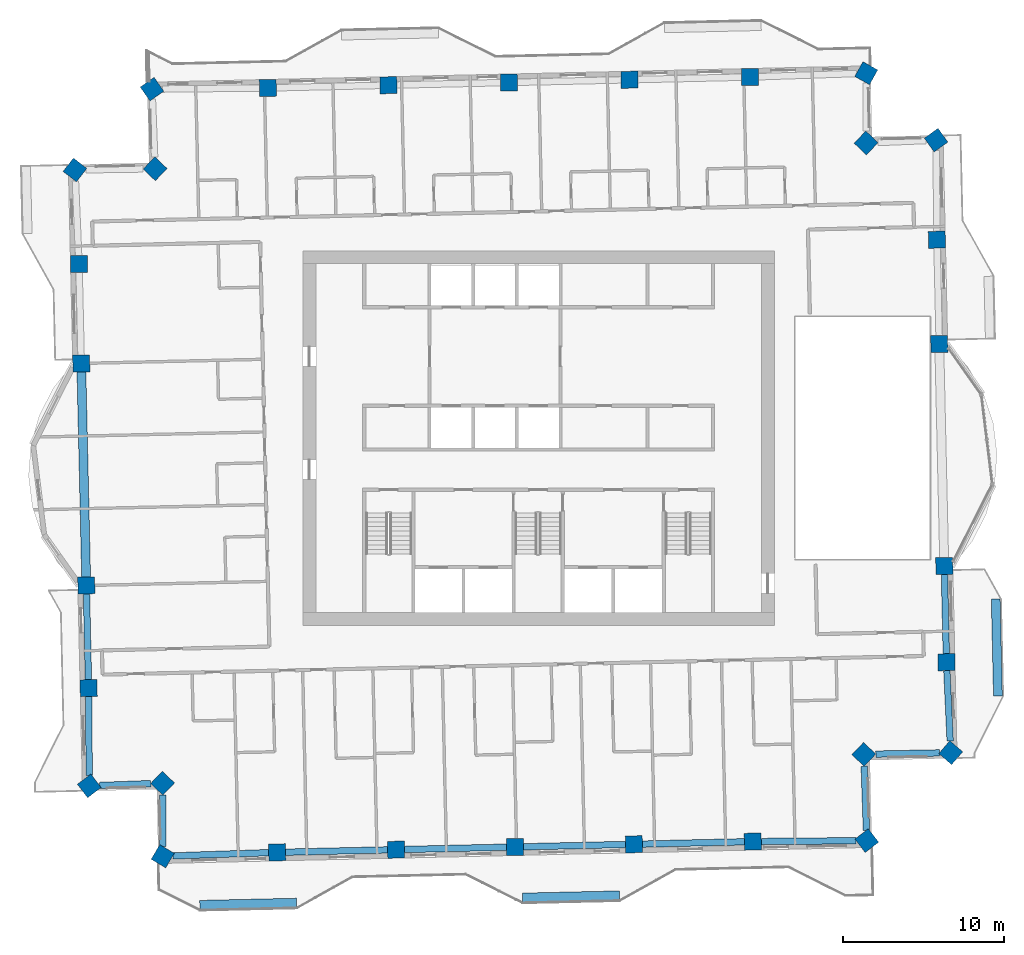
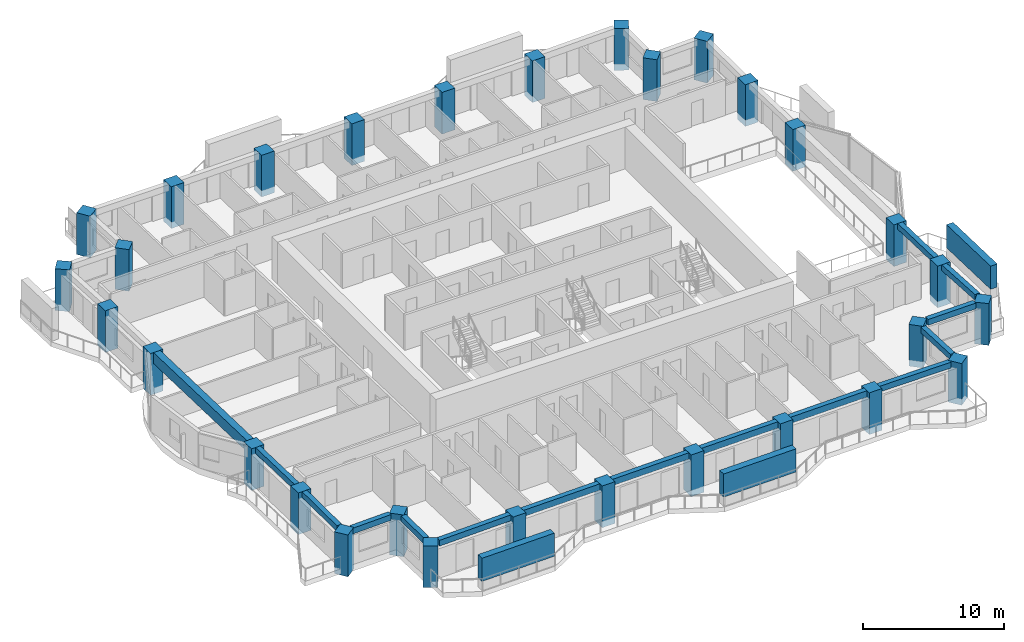
# One storey, part 1 of 17: 30 columns, 15 beams, 3 members.
"""IFC4 building model written with IfcOpenShell, lengths in metres."""

from ifc_helpers import new_model, si_unit, direction, frame, origin, origin_2d, place, context, subcontext, project, spatial, rectangle, extrude, material, material_profile, profile_set, type_object, element, save


model = new_model("IFC4")

# Units and contexts
model_context = context("Model", 3, precision=1e-05, world=origin(), true_north=direction((0.0, 1.0)))
body_context = subcontext(model_context, "Body", "Model", "MODEL_VIEW")
ifc_project = project(units=[si_unit("LENGTHUNIT", "METRE"), si_unit("AREAUNIT", "SQUARE_METRE"), si_unit("VOLUMEUNIT", "CUBIC_METRE"), si_unit("PLANEANGLEUNIT", "RADIAN"), si_unit("MASSUNIT", "GRAM", prefix="KILO")], contexts=[model_context])

# Site, building, storey
site_placement = place(None, origin())
site = spatial("IfcSite", under=ifc_project, at=site_placement, CompositionType="ELEMENT")
building_placement = place(site_placement, origin())
building = spatial("IfcBuilding", under=site, at=building_placement, Name="Mangrove Gate Tower", CompositionType="ELEMENT")
storey_placement = place(building_placement, frame((0.0, 0.0, 241.89990234375)))
storey = spatial("IfcBuildingStorey", under=building, at=storey_placement, Name="L61", CompositionType="ELEMENT", Elevation=241.89990234375)

# Columns
ifc_material_1 = material(Name="Concrete C60/75", Category="concrete")
ifc_material_profile_1 = material_profile(ifc_material_1, rectangle(XDim=1.050048828125, YDim=1.050048828125, at=origin_2d()))
ifc_profile_set_1 = profile_set([ifc_material_profile_1], Name="Concrete C60/75")
column_type = type_object("IfcColumnType", Name="Column RC 1050x1050 C60/75", PredefinedType="COLUMN", material=ifc_profile_set_1)
for number, where, z_axis, x_axis, name in (
    (1, (-28.01611328125, -9.1259765625, -0.5498046875), (0.0, 0.0, 1.0), (0.022671716894, -0.999742963593, 0.0), "Column L61 W05"),
    (2, (-27.8720703125, -15.487060546875, -0.5498046875), (0.0, 0.0, 1.0), (0.02271069751, -0.999742078848, 0.0), "Column L61 W06"),
    (3, (-27.83349609375, -21.54296875, -0.5498046875), (0.0, 0.0, 1.0), (0.604088172923, -0.796917485901, 0.0), "Column L61 W07"),
    (4, (-23.291259765625, -21.37646484375, -0.5498046875), (0.0, 0.0, 1.0), (0.722988982899, -0.690859559249, 0.0), "Column L61 W08"),
    (5, (-23.28125, -25.90234375, -0.5498046875), (0.0, 0.0, 1.0), (0.860102602096, -0.510121077655, 0.0), "Column L61 S01"),
    (6, (-16.19482421875, -25.662109375, -0.5498046875), (0.0, 0.0, 1.0), (0.999743095343, 0.022665906441, 0.0), "Column L61 S02"),
    (7, (-8.828857421875, -25.4951171875, -0.5498046875), (0.0, 0.0, 1.0), (0.999743095343, 0.022665906441, 0.0), "Column L61 S03"),
    (8, (-1.462890625, -25.328125, -0.5498046875), (0.0, 0.0, 1.0), (0.999743095343, 0.022665906441, 0.0), "Column L61 S04"),
    (9, (5.903076171875, -25.1611328125, -0.5498046875), (0.0, 0.0, 1.0), (0.999743095343, 0.022665906441, 0.0), "Column L61 S05"),
    (10, (13.26904296875, -24.994140625, -0.5498046875), (0.0, 0.0, 1.0), (0.999741555365, 0.022733729908, 0.0), "Column L61 S06"),
    (11, (20.3271484375, -24.934814453125, -0.5498046875), (0.0, 0.0, 1.0), (0.792957554961, 0.609276879612, 0.0), "Column L61 S07"),
    (12, (20.1455078125, -19.59033203125, -0.5498046875), (0.0, 0.0, 1.0), (0.690952060098, 0.72290058144, 0.0), "Column L61 E01"),
    (13, (25.52685546875, -19.486572265625, -0.5498046875), (0.0, 0.0, 1.0), (0.654234577243, 0.756291688398, 0.0), "Column L61 E02"),
    (14, (25.26318359375, -13.880859375, -0.5498046875), (0.0, 0.0, 1.0), (-0.022727116819, 0.999741705723, 0.0), "Column L61 E03"),
    (15, (25.128173828125, -7.9208984375, -0.5498046875), (0.0, 0.0, 1.0), (-0.022676462969, 0.999742855952, 0.0), "Column L61 E04"),
    (16, (24.816162109375, 5.826171875, -0.5498046875), (0.0, 0.0, 1.0), (-0.022707923152, 0.999742141868, 0.0), "Column L61 E05"),
    (17, (24.669189453125, 12.287109375, -0.5498046875), (0.0, 0.0, 1.0), (-0.022668680801, 0.999743032439, 0.0), "Column L61 E06"),
    (18, (24.620849609375, 18.454833984375, -0.5498046875), (0.0, 0.0, 1.0), (-0.581359179883, 0.813647038934, 0.0), "Column L61 E07"),
    (19, (20.286376953125, 18.280517578125, -0.5498046875), (0.0, 0.0, 1.0), (-0.722994264183, 0.690854032309, 0.0), "Column L61 E08"),
    (20, (20.29296875, 22.600830078125, -0.5498046875), (0.0, 0.0, 1.0), (-0.872897238591, 0.487904100064, 0.0), "Column L61 N01"),
    (21, (13.094970703125, 22.364013671875, -0.5498046875), (0.0, 0.0, 1.0), (-0.999742388325, -0.022697070002, 0.0), "Column L61 N02"),
    (22, (5.62890625, 22.195068359375, -0.5498046875), (0.0, 0.0, 1.0), (-0.999743905277, -0.022630153817, 0.0), "Column L61 N03"),
    (23, (-1.837158203125, 22.026123046875, -0.5498046875), (0.0, 0.0, 1.0), (-0.999742388325, -0.022697070002, 0.0), "Column L61 N04"),
    (24, (-9.302978515625, 21.856201171875, -0.5498046875), (0.0, 0.0, 1.0), (-0.999742388325, -0.022697070002, 0.0), "Column L61 N05"),
    (25, (-16.76904296875, 21.687255859375, -0.5498046875), (0.0, 0.0, 1.0), (-0.999742388325, -0.022697070002, 0.0), "Column L61 N06"),
    (26, (-23.945068359375, 21.612548828125, -0.5498046875), (0.0, 0.0, 1.0), (-0.818137935301, -0.575022015946, 0.0), "Column L61 N07"),
    (27, (-23.75439453125, 16.68115234375, -0.5498046875), (0.0, 0.0, 1.0), (-0.690946470748, -0.722905923728, 0.0), "Column L61 W01"),
    (28, (-28.718017578125, 16.608642578125, -0.5498046875), (0.0, 0.0, 1.0), (-0.612246894698, -0.790666642734, 0.0), "Column L61 W02"),
    (29, (-28.468017578125, 10.781005859375, -0.5498046875), (0.0, 0.0, 1.0), (0.022719561495, -0.999741877449, 0.0), "Column L61 W03"),
    (30, (-28.328125, 4.620849609375, -0.5498046875), (0.0, 0.0, 1.0), (0.022699722219, -0.999742328108, 0.0), "Column L61 W04"),
):
    element("IfcColumn", number, at=place(storey_placement, frame(where, z_axis=z_axis, x_axis=x_axis)), inside=storey, type_object=column_type, Name=name, PredefinedType="COLUMN", context=body_context, shape_type="SweptSolid", body=[
        extrude(rectangle(XDim=1.050048828125, YDim=1.050048828125, at=origin_2d()), origin(), (0.0, 0.0, 1.0), 3.599853515625),
    ])

# Members
ifc_material_2 = material(Name="Planting on aluminium trellis", Category="aluminium")
ifc_material_profile_2 = material_profile(ifc_material_2, rectangle(XDim=0.550048828125, YDim=2.0, at=origin_2d()))
ifc_profile_set_2 = profile_set([ifc_material_profile_2], Name="Planting on aluminium trellis")
member_type = type_object("IfcMemberType", Name="Balcony greenery screen 550x2000", PredefinedType="USERDEFINED", material=ifc_profile_set_2)
member_placement = place(storey_placement, frame((28.451904296875, -15.971923828125, 1.800048828125), z_axis=(-0.022662255828, 0.999743178102, 0.0), x_axis=(-0.999743178102, -0.022662255828, 0.0)))
element("IfcMember", 31, at=member_placement, inside=storey, type_object=member_type, Name="GREEN SCREEN L61 E0.1", ObjectType="PLANTING", PredefinedType="USERDEFINED", context=body_context, shape_type="SweptSolid", body=[
    extrude(rectangle(XDim=0.550048828125, YDim=2.0, at=origin_2d()), origin(), (0.0, 0.0, 1.0), 6.00048828125),
])
for number, where, z_axis, x_axis, name in (
    (32, (-20.986083984375, -28.912109375, 1.800048828125), (0.999742171567, 0.022706615587, 0.0), (-0.022706615587, 0.999742171567, 0.0), "GREEN SCREEN L61 S0.1"),
    (33, (-0.990966796875, -28.4580078125, 1.800048828125), (0.999743094499, 0.022665943652, 0.0), (-0.022665943652, 0.999743094499, 0.0), "GREEN SCREEN L61 S1.1"),
):
    element("IfcMember", number, at=place(storey_placement, frame(where, z_axis=z_axis, x_axis=x_axis)), inside=storey, type_object=member_type, Name=name, ObjectType="PLANTING", PredefinedType="USERDEFINED", context=body_context, shape_type="SweptSolid", body=[
        extrude(rectangle(XDim=0.550048828125, YDim=2.0, at=origin_2d()), origin(), (0.0, 0.0, 1.0), 5.99951171875),
    ])

# Beams
ifc_material_3 = material(Name="Concrete C50/60", Category="concrete")
ifc_material_profile_3 = material_profile(ifc_material_3, rectangle(XDim=0.39990234375, YDim=0.5, at=origin_2d()))
ifc_profile_set_3 = profile_set([ifc_material_profile_3], Name="Concrete C50/60")
beam_type_1 = type_object("IfcBeamType", Name="Edge beam RC 400x500 C50/60", PredefinedType="BEAM", material=ifc_profile_set_3)
beam_1_placement = place(storey_placement, frame((-28.004150390625, -9.65087890625, 2.800048828125), z_axis=(0.022609709445, -0.999744367846, 0.0), x_axis=(0.999744367846, 0.022609709445, 0.0)))
element("IfcBeam", 34, at=beam_1_placement, inside=storey, type_object=beam_type_1, Name="Edge beam L61 00", PredefinedType="BEAM", context=body_context, shape_type="SweptSolid", body=[
    extrude(rectangle(XDim=0.39990234375, YDim=0.5, at=origin_2d()), origin(), (0.0, 0.0, 1.0), 5.312744140625),
])
beam_2_placement = place(storey_placement, frame((-27.868896484375, -16.01220703125, 2.800048828125), z_axis=(0.006360047646, -0.999979774692, 0.0), x_axis=(0.999979774692, 0.006360047646, 0.0)))
element("IfcBeam", 35, at=beam_2_placement, inside=storey, type_object=beam_type_1, Name="Edge beam L61 01", PredefinedType="BEAM", context=body_context, shape_type="SweptSolid", body=[
    extrude(rectangle(XDim=0.39990234375, YDim=0.5, at=origin_2d()), origin(), (0.0, 0.0, 1.0), 4.875),
])
beam_3_placement = place(storey_placement, frame((-27.192626953125, -21.519287109375, 2.800048828125), z_axis=(0.999331289384, 0.036564655866, 0.0), x_axis=(-0.036564655866, 0.999331289384, 0.0)))
element("IfcBeam", 36, at=beam_3_placement, inside=storey, type_object=beam_type_1, Name="Edge beam L61 02", PredefinedType="BEAM", context=body_context, shape_type="SweptSolid", body=[
    extrude(rectangle(XDim=0.39990234375, YDim=0.5, at=origin_2d()), origin(), (0.0, 0.0, 1.0), 3.171630859375),
])
beam_4_placement = place(storey_placement, frame((-23.289794921875, -22.104248046875, 2.800048828125), z_axis=(0.002298140093, -0.999997359273, 0.0), x_axis=(0.999997359273, 0.002298140093, 0.0)))
element("IfcBeam", 37, at=beam_4_placement, inside=storey, type_object=beam_type_1, Name="Edge beam L61 03", PredefinedType="BEAM", context=body_context, shape_type="SweptSolid", body=[
    extrude(rectangle(XDim=0.39990234375, YDim=0.5, at=origin_2d()), origin(), (0.0, 0.0, 1.0), 3.18701171875),
])
beam_5_placement = place(storey_placement, frame((-22.658203125, -25.88134765625, 2.800048828125), z_axis=(0.999425310305, 0.033897627076, 0.0), x_axis=(-0.033897627076, 0.999425310305, 0.0)))
element("IfcBeam", 38, at=beam_5_placement, inside=storey, type_object=beam_type_1, Name="Edge beam L61 04", PredefinedType="BEAM", context=body_context, shape_type="SweptSolid", body=[
    extrude(rectangle(XDim=0.39990234375, YDim=0.5, at=origin_2d()), origin(), (0.0, 0.0, 1.0), 5.94189453125),
])
beam_6_placement = place(storey_placement, frame((13.794189453125, -24.98974609375, 2.800048828125), z_axis=(0.99996442022, 0.008435537621, 0.0), x_axis=(-0.008435537621, 0.99996442022, 0.0)))
element("IfcBeam", 39, at=beam_6_placement, inside=storey, type_object=beam_type_1, Name="Edge beam L61 09", PredefinedType="BEAM", context=body_context, shape_type="SweptSolid", body=[
    extrude(rectangle(XDim=0.39990234375, YDim=0.5, at=origin_2d()), origin(), (0.0, 0.0, 1.0), 5.875244140625),
])
beam_7_placement = place(storey_placement, frame((20.30517578125, -24.28955078125, 2.800048828125), z_axis=(-0.033964262913, 0.999423047986, 0.0), x_axis=(-0.999423047986, -0.033964262913, 0.0)))
element("IfcBeam", 40, at=beam_7_placement, inside=storey, type_object=beam_type_1, Name="Edge beam L61 10", PredefinedType="BEAM", context=body_context, shape_type="SweptSolid", body=[
    extrude(rectangle(XDim=0.39990234375, YDim=0.5, at=origin_2d()), origin(), (0.0, 0.0, 1.0), 3.9677734375),
])
beam_8_placement = place(storey_placement, frame((20.88525390625, -19.575927734375, 2.800048828125), z_axis=(0.999815162957, 0.019226021991, 0.0), x_axis=(-0.019226021991, 0.999815162957, 0.0)))
element("IfcBeam", 41, at=beam_8_placement, inside=storey, type_object=beam_type_1, Name="Edge beam L61 11", PredefinedType="BEAM", context=body_context, shape_type="SweptSolid", body=[
    extrude(rectangle(XDim=0.39990234375, YDim=0.5, at=origin_2d()), origin(), (0.0, 0.0, 1.0), 3.9365234375),
])
beam_9_placement = place(storey_placement, frame((25.492919921875, -18.762939453125, 2.800048828125), z_axis=(-0.047012059076, 0.998894321889, 0.0), x_axis=(-0.998894321889, -0.047012059076, 0.0)))
element("IfcBeam", 42, at=beam_9_placement, inside=storey, type_object=beam_type_1, Name="Edge beam L61 12", PredefinedType="BEAM", context=body_context, shape_type="SweptSolid", body=[
    extrude(rectangle(XDim=0.39990234375, YDim=0.5, at=origin_2d()), origin(), (0.0, 0.0, 1.0), 4.3623046875),
])
beam_10_placement = place(storey_placement, frame((25.251220703125, -13.35595703125, 2.800048828125), z_axis=(-0.022617522224, 0.999744191125, 0.0), x_axis=(-0.999744191125, -0.022617522224, 0.0)))
element("IfcBeam", 43, at=beam_10_placement, inside=storey, type_object=beam_type_1, Name="Edge beam L61 13", PredefinedType="BEAM", context=body_context, shape_type="SweptSolid", body=[
    extrude(rectangle(XDim=0.39990234375, YDim=0.5, at=origin_2d()), origin(), (0.0, 0.0, 1.0), 4.911376953125),
])
ifc_material_4 = material(Name="Concrete C50/60", Category="concrete")
ifc_material_profile_4 = material_profile(ifc_material_4, rectangle(XDim=0.39990234375, YDim=0.550048828125, at=origin_2d()))
ifc_profile_set_4 = profile_set([ifc_material_profile_4], Name="Concrete C50/60")
beam_type_2 = type_object("IfcBeamType", Name="Edge beam RC 400x550 C50/60", PredefinedType="BEAM", material=ifc_profile_set_4)
for number, where, z_axis, x_axis, name in (
    (44, (-15.669921875, -25.650146484375, 2.775146484375), (0.99974356829, 0.02264503618, 0.0), (-0.02264503618, 0.99974356829, 0.0), "Edge beam L61 05"),
    (45, (-8.303955078125, -25.483154296875, 2.775146484375), (0.99974356829, 0.02264503618, 0.0), (-0.02264503618, 0.99974356829, 0.0), "Edge beam L61 06"),
    (46, (-0.93798828125, -25.316162109375, 2.775146484375), (0.99974356829, 0.02264503618, 0.0), (-0.02264503618, 0.99974356829, 0.0), "Edge beam L61 07"),
    (47, (6.427978515625, -25.149169921875, 2.775146484375), (0.99974356829, 0.02264503618, 0.0), (-0.02264503618, 0.99974356829, 0.0), "Edge beam L61 08"),
):
    element("IfcBeam", number, at=place(storey_placement, frame(where, z_axis=z_axis, x_axis=x_axis)), inside=storey, type_object=beam_type_2, Name=name, PredefinedType="BEAM", context=body_context, shape_type="SweptSolid", body=[
        extrude(rectangle(XDim=0.39990234375, YDim=0.550048828125, at=origin_2d()), origin(), (0.0, 0.0, 1.0), 6.31787109375),
    ])
ifc_material_5 = material(Name="Concrete C50/60", Category="concrete")
ifc_material_profile_5 = material_profile(ifc_material_5, rectangle(XDim=0.550048828125, YDim=0.949951171875, at=origin_2d()))
ifc_profile_set_5 = profile_set([ifc_material_profile_5], Name="Concrete C50/60")
beam_type_3 = type_object("IfcBeamType", Name="Edge beam RC 550x950 C50/60", PredefinedType="BEAM", material=ifc_profile_set_5)
beam_11_placement = place(storey_placement, frame((-28.316162109375, 4.095947265625, 2.5751953125), z_axis=(0.022682979457, -0.999742708122, 0.0), x_axis=(0.999742708122, 0.022682979457, 0.0)))
element("IfcBeam", 48, at=beam_11_placement, inside=storey, type_object=beam_type_3, Name="Edge beam L61 29", PredefinedType="BEAM", context=body_context, shape_type="SweptSolid", body=[
    extrude(rectangle(XDim=0.550048828125, YDim=0.949951171875, at=origin_2d()), origin(), (0.0, 0.0, 1.0), 12.700439453125),
])

save(model, "model.ifc")
